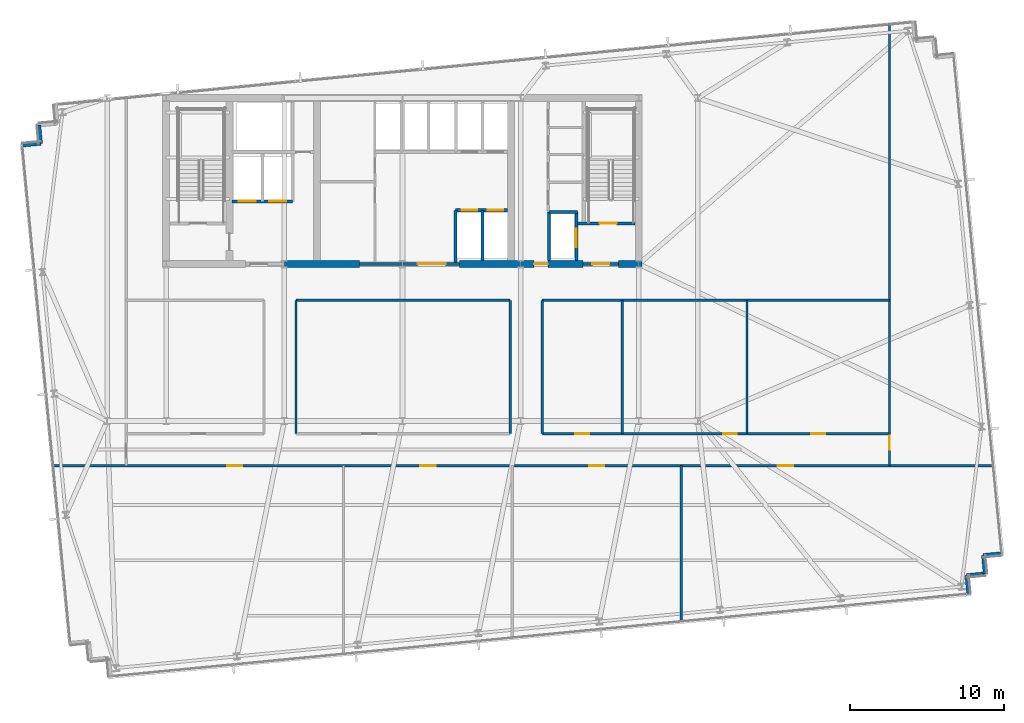
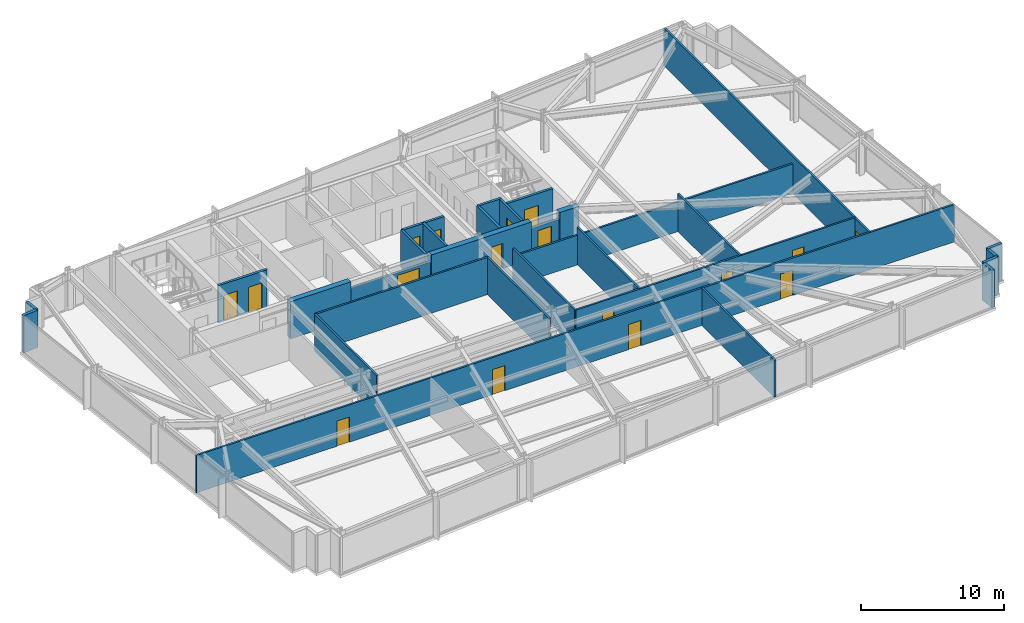
# One storey, part 25 of 32: 30 walls, 17 doors, 17 openings.
"""IFC4 building model written with IfcOpenShell, lengths in metres."""

from ifc_helpers import new_model, si_unit, direction, frame, frame_2d, origin, place, context, subcontext, project, spatial, rectangle, extrude, material, layer, layer_set, type_object, element, fill, save


model = new_model("IFC4")

# Units and contexts
model_context = context("Model", 3, precision=1e-05, world=origin(), true_north=direction((0.0, 1.0)))
body_context = subcontext(model_context, "Body", "Model", "MODEL_VIEW")
ifc_project = project(units=[si_unit("LENGTHUNIT", "METRE"), si_unit("AREAUNIT", "SQUARE_METRE"), si_unit("VOLUMEUNIT", "CUBIC_METRE"), si_unit("PLANEANGLEUNIT", "RADIAN"), si_unit("MASSUNIT", "GRAM", prefix="KILO")], contexts=[model_context])

# Site, building, storey
site_placement = place(None, origin())
site = spatial("IfcSite", under=ifc_project, at=site_placement, CompositionType="ELEMENT")
building_placement = place(site_placement, origin())
building = spatial("IfcBuilding", under=site, at=building_placement, Name="Yelkora Congress Tower", CompositionType="ELEMENT")
storey_placement = place(building_placement, frame((0.0, 0.0, 103.300048828125)))
storey = spatial("IfcBuildingStorey", under=building, at=storey_placement, Name="L27", CompositionType="ELEMENT", Elevation=103.300048828125)

# Wall
ifc_material_1 = material(Name="Concrete C60/75", Category="concrete")
ifc_layer_1 = layer(ifc_material_1, 0.449951171875)
ifc_layer_set_1 = layer_set([ifc_layer_1], Name="Concrete C60/75")
wall_type_1 = type_object("IfcWallType", Name="WALL-CORE-INT-450", PredefinedType="SHEAR", material=ifc_layer_set_1)
wall_1_placement = place(storey_placement, frame((30.719970703125, 35.39990234375, 0.0), z_axis=(0.0, 0.0, 1.0), x_axis=(1.0, 0.0, 0.0)))
element("IfcWall", 1, at=wall_1_placement, inside=storey, type_object=wall_type_1, Name="L27 Rear Core South-Center Shear Pier", PredefinedType="SHEAR", context=body_context, shape_type="SweptSolid", body=[
    extrude(rectangle(XDim=4.880126953125, YDim=0.449951171875, at=frame_2d((2.43994140625, 0.0))), origin(), (0.0, 0.0, 1.0), 3.179931640625),
])

# Wall, opening, door
wall_2_placement = place(storey_placement, frame((42.10009765625, 35.39990234375, 0.0), z_axis=(0.0, 0.0, 1.0), x_axis=(1.0, 0.0, 0.0)))
wall_2 = element("IfcWall", 2, at=wall_2_placement, inside=storey, type_object=wall_type_1, Name="L27 Rear Core South-East Shear Wall A", PredefinedType="SHEAR", context=body_context, shape_type="SweptSolid", body=[
    extrude(rectangle(XDim=8.0498046875, YDim=0.449951171875, at=frame_2d((4.02490234375, 0.0))), origin(), (0.0, 0.0, 1.0), 3.179931640625),
])
opening_1_placement = place(wall_2_placement, frame((4.85009765625, 0.0, 0.0)))
opening_1 = element("IfcOpeningElement", 3, at=opening_1_placement, cuts=wall_2, Name="Opening DR-090F6", PredefinedType="OPENING", context=body_context, shape_type="SweptSolid", body=[
    extrude(rectangle(XDim=0.89990234375, YDim=2.14990234375, at=frame_2d((0.449951171875, 1.074951171875))), frame((0.0, 0.23486328125, 0.0), z_axis=(0.0, -1.0, 0.0), x_axis=(1.0, 0.0, 0.0)), (0.0, 0.0, 1.0), 0.469970703125),
])
ifc_material_2 = material(Name="Painted steel riser fire door leaf", Category="steel")
door_type_1 = type_object("IfcDoorType", Name="DOOR-FD60-900", OperationType="NOTDEFINED", PredefinedType="DOOR", material=ifc_material_2)
door_1_placement = place(opening_1_placement, origin())
door_1 = element("IfcDoor", 4, at=door_1_placement, inside=storey, type_object=door_type_1, Name="L27 Core Washroom Lobby Door", OperationType="SINGLE_SWING_RIGHT", OverallHeight=2.14990234375, OverallWidth=0.89990234375, PredefinedType="DOOR", context=body_context, shape_type="SweptSolid", body=[
    extrude(rectangle(XDim=0.89990234375, YDim=2.14990234375, at=frame_2d((0.449951171875, 1.074951171875))), frame((0.0, 0.02490234375, 0.0), z_axis=(0.0, -1.0, 0.0), x_axis=(1.0, 0.0, 0.0)), (0.0, 0.0, 1.0), 0.050048828125),
])
fill(opening_1, door_1)

# Walls
wall_3_placement = place(storey_placement, frame((52.449951171875, 35.39990234375, 0.0), z_axis=(0.0, 0.0, 1.0), x_axis=(1.0, 0.0, 0.0)))
element("IfcWall", 5, at=wall_3_placement, inside=storey, type_object=wall_type_1, Name="L27 Rear Core South-East Shear Wall B", PredefinedType="SHEAR", context=body_context, shape_type="SweptSolid", body=[
    extrude(rectangle(XDim=1.53515625, YDim=0.449951171875, at=frame_2d((0.767578125, 0.0))), origin(), (0.0, 0.0, 1.0), 3.179931640625),
])
ifc_material_3 = material(Name="Concrete C40/50", Category="concrete")
ifc_layer_2 = layer(ifc_material_3, 0.239990234375)
ifc_layer_set_2 = layer_set([ifc_layer_2], Name="Concrete C40/50")
wall_type_2 = type_object("IfcWallType", Name="WALL-EXT-LIMESTONE-240", PredefinedType="SOLIDWALL", material=ifc_layer_set_2)
for number, where, z_axis, x_axis, name in (
    (6, (13.69091796875, 43.126708984375, 0.0), (0.0, 0.0, 1.0), (0.995398960025, 0.095817067274, 0.0), "L27 Serrated Corner Limestone Pier 6"),
    (7, (14.885498046875, 43.24169921875, 0.0), (0.0, 0.0, 1.0), (-0.095817067274, 0.995398960025, 0.0), "L27 Serrated Corner Limestone Pier 7"),
):
    element("IfcWall", number, at=place(storey_placement, frame(where, z_axis=z_axis, x_axis=x_axis)), inside=storey, type_object=wall_type_2, Name=name, PredefinedType="SOLIDWALL", context=body_context, shape_type="SweptSolid", body=[
        extrude(rectangle(XDim=1.2001953125, YDim=0.239990234375, at=frame_2d((0.60009765625, 0.0))), origin(), (0.0, 0.0, 1.0), 3.179931640625),
    ])
wall_4_placement = place(storey_placement, frame((77.34765625, 16.585693359375, 0.0), z_axis=(0.0, 0.0, 1.0), x_axis=(-0.995397091755, -0.095836473879, 0.0)))
element("IfcWall", 8, at=wall_4_placement, inside=storey, type_object=wall_type_2, Name="L27 Serrated Corner Limestone Pier 16", PredefinedType="SOLIDWALL", context=body_context, shape_type="SweptSolid", body=[
    extrude(rectangle(XDim=1.199951171875, YDim=0.239990234375, at=frame_2d((0.60009765625, 0.0))), origin(), (0.0, 0.0, 1.0), 3.179931640625),
])
for number, where, z_axis, x_axis, name in (
    (9, (76.1533203125, 16.470703125, 0.0), (0.0, 0.0, 1.0), (0.095817067274, -0.995398960025, 0.0), "L27 Serrated Corner Limestone Pier 17"),
    (10, (76.268310546875, 15.276123046875, 0.0), (0.0, 0.0, 1.0), (-0.995398960025, -0.095817067274, 0.0), "L27 Serrated Corner Limestone Pier 18"),
):
    element("IfcWall", number, at=place(storey_placement, frame(where, z_axis=z_axis, x_axis=x_axis)), inside=storey, type_object=wall_type_2, Name=name, PredefinedType="SOLIDWALL", context=body_context, shape_type="SweptSolid", body=[
        extrude(rectangle(XDim=1.2001953125, YDim=0.239990234375, at=frame_2d((0.60009765625, 0.0))), origin(), (0.0, 0.0, 1.0), 3.179931640625),
    ])
wall_5_placement = place(storey_placement, frame((75.07373046875, 15.1611328125, 0.0), z_axis=(0.0, 0.0, 1.0), x_axis=(0.095836473879, -0.995397091755, 0.0)))
element("IfcWall", 11, at=wall_5_placement, inside=storey, type_object=wall_type_2, Name="L27 Serrated Corner Limestone Pier 19", PredefinedType="SOLIDWALL", context=body_context, shape_type="SweptSolid", body=[
    extrude(rectangle(XDim=1.199951171875, YDim=0.239990234375, at=frame_2d((0.60009765625, 0.0))), origin(), (0.0, 0.0, 1.0), 3.179931640625),
])
ifc_material_4 = material(Name="Acoustic metal-stud gypsum partition", Category="gypsum")
ifc_layer_3 = layer(ifc_material_4, 0.14990234375)
ifc_layer_set_3 = layer_set([ifc_layer_3], Name="Acoustic metal-stud gypsum partition")
wall_type_3 = type_object("IfcWallType", Name="WALL-INT-150-NR", PredefinedType="PARTITIONING", material=ifc_layer_set_3)
wall_6_placement = place(storey_placement, frame((56.512939453125, 12.108154296875, 0.0), z_axis=(0.0, 0.0, 1.0), x_axis=(0.0, 1.0, 0.0)))
element("IfcWall", 12, at=wall_6_placement, inside=storey, type_object=wall_type_3, Name="L27 Partition Wall 30", PredefinedType="PARTITIONING", context=body_context, shape_type="SweptSolid", body=[
    extrude(rectangle(XDim=10.2119140625, YDim=0.14990234375, at=frame_2d((5.10595703125, 0.0))), origin(), (0.0, 0.0, 1.0), 3.179931640625),
])

# Wall, openings, doors
wall_7_placement = place(storey_placement, frame((15.635986328125, 22.300048828125, 0.0), z_axis=(0.0, 0.0, 1.0), x_axis=(1.0, 0.0, 0.0)))
wall_7 = element("IfcWall", 13, at=wall_7_placement, inside=storey, type_object=wall_type_3, Name="L27 South Spine Wall", PredefinedType="PARTITIONING", context=body_context, shape_type="SweptSolid", body=[
    extrude(rectangle(XDim=61.221923828125, YDim=0.14990234375, at=frame_2d((30.61083984375, 0.0))), origin(), (0.0, 0.0, 1.0), 3.179931640625),
])
opening_2_placement = place(wall_7_placement, frame((11.364990234375, 0.0, 0.0)))
opening_2 = element("IfcOpeningElement", 14, at=opening_2_placement, cuts=wall_7, Name="Opening DR-100N", PredefinedType="OPENING", context=body_context, shape_type="SweptSolid", body=[
    extrude(rectangle(XDim=1.0, YDim=2.14990234375, at=frame_2d((0.5, 1.074951171875))), frame((0.0, 0.0849609375, 0.0), z_axis=(0.0, -1.0, 0.0), x_axis=(1.0, 0.0, 0.0)), (0.0, 0.0, 1.0), 0.169921875),
])
opening_3_placement = place(wall_7_placement, frame((23.91650390625, 0.0, 0.0)))
opening_3 = element("IfcOpeningElement", 15, at=opening_3_placement, cuts=wall_7, Name="Opening DR-100N", PredefinedType="OPENING", context=body_context, shape_type="SweptSolid", body=[
    extrude(rectangle(XDim=1.0, YDim=2.14990234375, at=frame_2d((0.5, 1.074951171875))), frame((0.0, 0.0849609375, 0.0), z_axis=(0.0, -1.0, 0.0), x_axis=(1.0, 0.0, 0.0)), (0.0, 0.0, 1.0), 0.169921875),
])
opening_4_placement = place(wall_7_placement, frame((34.89013671875, 0.0, 0.0)))
opening_4 = element("IfcOpeningElement", 16, at=opening_4_placement, cuts=wall_7, Name="Opening DR-100N", PredefinedType="OPENING", context=body_context, shape_type="SweptSolid", body=[
    extrude(rectangle(XDim=1.0, YDim=2.14990234375, at=frame_2d((0.5, 1.074951171875))), frame((0.0, 0.0849609375, 0.0), z_axis=(0.0, -1.0, 0.0), x_axis=(1.0, 0.0, 0.0)), (0.0, 0.0, 1.0), 0.169921875),
])
opening_5_placement = place(wall_7_placement, frame((47.149658203125, 0.0, 0.0)))
opening_5 = element("IfcOpeningElement", 17, at=opening_5_placement, cuts=wall_7, Name="Opening DR-100N", PredefinedType="OPENING", context=body_context, shape_type="SweptSolid", body=[
    extrude(rectangle(XDim=1.0, YDim=2.14990234375, at=frame_2d((0.5, 1.074951171875))), frame((0.0, 0.0849609375, 0.0), z_axis=(0.0, -1.0, 0.0), x_axis=(1.0, 0.0, 0.0)), (0.0, 0.0, 1.0), 0.169921875),
])
ifc_material_5 = material(Name="Solid-core Anatolian oak veneer door", Category="wood")
door_type_2 = type_object("IfcDoorType", Name="DOOR-INT-1000", OperationType="NOTDEFINED", PredefinedType="DOOR", material=ifc_material_5)
door_2_placement = place(opening_2_placement, origin())
door_2 = element("IfcDoor", 18, at=door_2_placement, inside=storey, type_object=door_type_2, Name="L27 Meeting Suite Door", OperationType="SINGLE_SWING_RIGHT", OverallHeight=2.14990234375, OverallWidth=1.0, PredefinedType="DOOR", context=body_context, shape_type="SweptSolid", body=[
    extrude(rectangle(XDim=1.0, YDim=2.14990234375, at=frame_2d((0.5, 1.074951171875))), frame((0.0, 0.02490234375, 0.0), z_axis=(0.0, -1.0, 0.0), x_axis=(1.0, 0.0, 0.0)), (0.0, 0.0, 1.0), 0.050048828125),
])
fill(opening_2, door_2)
door_3_placement = place(opening_3_placement, origin())
door_3 = element("IfcDoor", 19, at=door_3_placement, inside=storey, type_object=door_type_2, Name="L27 Delegate Library Lounge Door", OperationType="SINGLE_SWING_LEFT", OverallHeight=2.14990234375, OverallWidth=1.0, PredefinedType="DOOR", context=body_context, shape_type="SweptSolid", body=[
    extrude(rectangle(XDim=1.0, YDim=2.14990234375, at=frame_2d((0.5, 1.074951171875))), frame((0.0, 0.02490234375, 0.0), z_axis=(0.0, -1.0, 0.0), x_axis=(1.0, 0.0, 0.0)), (0.0, 0.0, 1.0), 0.050048828125),
])
fill(opening_3, door_3)
door_4_placement = place(opening_4_placement, origin())
door_4 = element("IfcDoor", 20, at=door_4_placement, inside=storey, type_object=door_type_2, Name="L27 Pantry & Servery Door", OperationType="SINGLE_SWING_RIGHT", OverallHeight=2.14990234375, OverallWidth=1.0, PredefinedType="DOOR", context=body_context, shape_type="SweptSolid", body=[
    extrude(rectangle(XDim=1.0, YDim=2.14990234375, at=frame_2d((0.5, 1.074951171875))), frame((0.0, 0.02490234375, 0.0), z_axis=(0.0, -1.0, 0.0), x_axis=(1.0, 0.0, 0.0)), (0.0, 0.0, 1.0), 0.050048828125),
])
fill(opening_4, door_4)
door_5_placement = place(opening_5_placement, origin())
door_5 = element("IfcDoor", 21, at=door_5_placement, inside=storey, type_object=door_type_2, Name="L27 Open-Plan Office Door", OperationType="SINGLE_SWING_LEFT", OverallHeight=2.14990234375, OverallWidth=1.0, PredefinedType="DOOR", context=body_context, shape_type="SweptSolid", body=[
    extrude(rectangle(XDim=1.0, YDim=2.14990234375, at=frame_2d((0.5, 1.074951171875))), frame((0.0, 0.02490234375, 0.0), z_axis=(0.0, -1.0, 0.0), x_axis=(1.0, 0.0, 0.0)), (0.0, 0.0, 1.0), 0.050048828125),
])
fill(opening_5, door_5)

# Wall, opening, door
wall_8_placement = place(storey_placement, frame((70.05810546875, 22.300048828125, 0.0), z_axis=(0.0, 0.0, 1.0), x_axis=(0.0, 1.0, 0.0)))
wall_8 = element("IfcWall", 22, at=wall_8_placement, inside=storey, type_object=wall_type_3, Name="L27 Partition Wall 33", PredefinedType="PARTITIONING", context=body_context, shape_type="SweptSolid", body=[
    extrude(rectangle(XDim=28.7255859375, YDim=0.14990234375, at=frame_2d((14.36279296875, 0.0))), origin(), (0.0, 0.0, 1.0), 3.179931640625),
])
opening_6_placement = place(wall_8_placement, frame((1.030029296875, 0.0, 0.0)))
opening_6 = element("IfcOpeningElement", 23, at=opening_6_placement, cuts=wall_8, Name="Opening DR-090N", PredefinedType="OPENING", context=body_context, shape_type="SweptSolid", body=[
    extrude(rectangle(XDim=0.89990234375, YDim=2.14990234375, at=frame_2d((0.449951171875, 1.074951171875))), frame((0.0, 0.0849609375, 0.0), z_axis=(0.0, -1.0, 0.0), x_axis=(1.0, 0.0, 0.0)), (0.0, 0.0, 1.0), 0.169921875),
])
ifc_material_6 = material(Name="Moisture-resistant laminate door leaf", Category="wood")
door_type_3 = type_object("IfcDoorType", Name="DOOR-INT-900", OperationType="NOTDEFINED", PredefinedType="DOOR", material=ifc_material_6)
door_6_placement = place(opening_6_placement, origin())
door_6 = element("IfcDoor", 24, at=door_6_placement, inside=storey, type_object=door_type_3, Name="L27 E Wing Door", OperationType="SINGLE_SWING_LEFT", OverallHeight=2.14990234375, OverallWidth=0.89990234375, PredefinedType="DOOR", context=body_context, shape_type="SweptSolid", body=[
    extrude(rectangle(XDim=0.89990234375, YDim=2.14990234375, at=frame_2d((0.449951171875, 1.074951171875))), frame((0.0, 0.02490234375, 0.0), z_axis=(0.0, -1.0, 0.0), x_axis=(1.0, 0.0, 0.0)), (0.0, 0.0, 1.0), 0.050048828125),
])
fill(opening_6, door_6)

# Walls
for number, where, z_axis, x_axis, name in (
    (25, (31.47998046875, 24.3798828125, 0.0), (0.0, 0.0, 1.0), (0.0, 1.0, 0.0), "L27 Partition Wall 35"),
    (26, (45.39990234375, 24.3798828125, 0.0), (0.0, 0.0, 1.0), (0.0, 1.0, 0.0), "L27 Partition Wall 36"),
    (27, (47.47998046875, 24.3798828125, 0.0), (0.0, 0.0, 1.0), (0.0, 1.0, 0.0), "L27 Partition Wall 37"),
):
    element("IfcWall", number, at=place(storey_placement, frame(where, z_axis=z_axis, x_axis=x_axis)), inside=storey, type_object=wall_type_3, Name=name, PredefinedType="PARTITIONING", context=body_context, shape_type="SweptSolid", body=[
        extrude(rectangle(XDim=8.670166015625, YDim=0.14990234375, at=frame_2d((4.3349609375, 0.0))), origin(), (0.0, 0.0, 1.0), 3.179931640625),
    ])
wall_9_placement = place(storey_placement, frame((31.47998046875, 33.050048828125, 0.0), z_axis=(0.0, 0.0, 1.0), x_axis=(1.0, 0.0, 0.0)))
element("IfcWall", 28, at=wall_9_placement, inside=storey, type_object=wall_type_3, Name="L27 Partition Wall 39", PredefinedType="PARTITIONING", context=body_context, shape_type="SweptSolid", body=[
    extrude(rectangle(XDim=13.919921875, YDim=0.14990234375, at=frame_2d((6.9599609375, 0.0))), origin(), (0.0, 0.0, 1.0), 3.179931640625),
])
wall_10_placement = place(storey_placement, frame((47.47998046875, 33.050048828125, 0.0), z_axis=(0.0, 0.0, 1.0), x_axis=(1.0, 0.0, 0.0)))
element("IfcWall", 29, at=wall_10_placement, inside=storey, type_object=wall_type_3, Name="L27 Partition Wall 40", PredefinedType="PARTITIONING", context=body_context, shape_type="SweptSolid", body=[
    extrude(rectangle(XDim=22.578125, YDim=0.14990234375, at=frame_2d((11.2890625, 0.0))), origin(), (0.0, 0.0, 1.0), 2.52490234375),
])
for number, where, z_axis, x_axis, name in (
    (30, (52.676025390625, 24.3798828125, 0.0), (0.0, 0.0, 1.0), (0.0, 1.0, 0.0), "L27 Partition Wall 43"),
    (31, (60.79296875, 24.3798828125, 0.0), (0.0, 0.0, 1.0), (0.0, 1.0, 0.0), "L27 Partition Wall 44"),
):
    element("IfcWall", number, at=place(storey_placement, frame(where, z_axis=z_axis, x_axis=x_axis)), inside=storey, type_object=wall_type_3, Name=name, PredefinedType="PARTITIONING", context=body_context, shape_type="SweptSolid", body=[
        extrude(rectangle(XDim=8.670166015625, YDim=0.14990234375, at=frame_2d((4.3349609375, 0.0))), origin(), (0.0, 0.0, 1.0), 3.179931640625),
    ])

# Wall, openings, doors
wall_11_placement = place(storey_placement, frame((47.489990234375, 24.3798828125, 0.0), z_axis=(0.0, 0.0, 1.0), x_axis=(1.0, 0.0, 0.0)))
wall_11 = element("IfcWall", 32, at=wall_11_placement, inside=storey, type_object=wall_type_3, Name="L27 Partition Wall 45", PredefinedType="PARTITIONING", context=body_context, shape_type="SweptSolid", body=[
    extrude(rectangle(XDim=22.548095703125, YDim=0.14990234375, at=frame_2d((11.27392578125, 0.0))), origin(), (0.0, 0.0, 1.0), 3.179931640625),
])
opening_7_placement = place(wall_11_placement, frame((2.14306640625, 0.0, 0.0)))
opening_7 = element("IfcOpeningElement", 33, at=opening_7_placement, cuts=wall_11, Name="Opening DR-090N", PredefinedType="OPENING", context=body_context, shape_type="SweptSolid", body=[
    extrude(rectangle(XDim=0.89990234375, YDim=2.14990234375, at=frame_2d((0.449951171875, 1.074951171875))), frame((0.0, 0.0849609375, 0.0), z_axis=(0.0, -1.0, 0.0), x_axis=(1.0, 0.0, 0.0)), (0.0, 0.0, 1.0), 0.169921875),
])
opening_8_placement = place(wall_11_placement, frame((11.7529296875, 0.0, 0.0)))
opening_8 = element("IfcOpeningElement", 34, at=opening_8_placement, cuts=wall_11, Name="Opening DR-090N", PredefinedType="OPENING", context=body_context, shape_type="SweptSolid", body=[
    extrude(rectangle(XDim=0.89990234375, YDim=2.14990234375, at=frame_2d((0.449951171875, 1.074951171875))), frame((0.0, 0.0849609375, 0.0), z_axis=(0.0, -1.0, 0.0), x_axis=(1.0, 0.0, 0.0)), (0.0, 0.0, 1.0), 0.169921875),
])
opening_9_placement = place(wall_11_placement, frame((17.4755859375, 0.0, 0.0)))
opening_9 = element("IfcOpeningElement", 35, at=opening_9_placement, cuts=wall_11, Name="Opening DR-090N", PredefinedType="OPENING", context=body_context, shape_type="SweptSolid", body=[
    extrude(rectangle(XDim=0.89990234375, YDim=2.14990234375, at=frame_2d((0.449951171875, 1.074951171875))), frame((0.0, 0.0849609375, 0.0), z_axis=(0.0, -1.0, 0.0), x_axis=(1.0, 0.0, 0.0)), (0.0, 0.0, 1.0), 0.169921875),
])
door_7_placement = place(opening_7_placement, origin())
door_7 = element("IfcDoor", 36, at=door_7_placement, inside=storey, type_object=door_type_3, Name="L27 First-Aid Treatment Room Door", OperationType="SINGLE_SWING_RIGHT", OverallHeight=2.14990234375, OverallWidth=0.89990234375, PredefinedType="DOOR", context=body_context, shape_type="SweptSolid", body=[
    extrude(rectangle(XDim=0.89990234375, YDim=2.14990234375, at=frame_2d((0.449951171875, 1.074951171875))), frame((0.0, 0.02490234375, 0.0), z_axis=(0.0, -1.0, 0.0), x_axis=(1.0, 0.0, 0.0)), (0.0, 0.0, 1.0), 0.050048828125),
])
fill(opening_7, door_7)
door_8_placement = place(opening_8_placement, origin())
door_8 = element("IfcDoor", 37, at=door_8_placement, inside=storey, type_object=door_type_3, Name="L27 Wellness Consult Room Door", OperationType="SINGLE_SWING_LEFT", OverallHeight=2.14990234375, OverallWidth=0.89990234375, PredefinedType="DOOR", context=body_context, shape_type="SweptSolid", body=[
    extrude(rectangle(XDim=0.89990234375, YDim=2.14990234375, at=frame_2d((0.449951171875, 1.074951171875))), frame((0.0, 0.02490234375, 0.0), z_axis=(0.0, -1.0, 0.0), x_axis=(1.0, 0.0, 0.0)), (0.0, 0.0, 1.0), 0.050048828125),
])
fill(opening_8, door_8)
door_9_placement = place(opening_9_placement, origin())
door_9 = element("IfcDoor", 38, at=door_9_placement, inside=storey, type_object=door_type_3, Name="L27 Diplomatic Day Lounge Door", OperationType="SINGLE_SWING_RIGHT", OverallHeight=2.14990234375, OverallWidth=0.89990234375, PredefinedType="DOOR", context=body_context, shape_type="SweptSolid", body=[
    extrude(rectangle(XDim=0.89990234375, YDim=2.14990234375, at=frame_2d((0.449951171875, 1.074951171875))), frame((0.0, 0.02490234375, 0.0), z_axis=(0.0, -1.0, 0.0), x_axis=(1.0, 0.0, 0.0)), (0.0, 0.0, 1.0), 0.050048828125),
])
fill(opening_9, door_9)

ifc_material_7 = material(Name="Autoclaved aerated concrete blockwork", Category="masonry")
ifc_layer_4 = layer(ifc_material_7, 0.199951171875)
ifc_layer_set_4 = layer_set([ifc_layer_4], Name="Autoclaved aerated concrete blockwork")
wall_type_4 = type_object("IfcWallType", Name="WALL-INT-200-R120", PredefinedType="PARTITIONING", material=ifc_layer_set_4)
wall_12_placement = place(storey_placement, frame((27.320068359375, 39.47998046875, 0.0), z_axis=(0.0, 0.0, 1.0), x_axis=(1.0, 0.0, 0.0)))
wall_12 = element("IfcWall", 39, at=wall_12_placement, inside=storey, type_object=wall_type_4, Name="L27 Firefighting Lift Front Wall", PredefinedType="PARTITIONING", context=body_context, shape_type="SweptSolid", body=[
    extrude(rectangle(XDim=3.93994140625, YDim=0.199951171875, at=frame_2d((1.969970703125, 0.0))), origin(), (0.0, 0.0, 1.0), 3.179931640625),
])
opening_10_placement = place(wall_12_placement, frame((0.449951171875, 0.0, 0.0)))
opening_10 = element("IfcOpeningElement", 40, at=opening_10_placement, cuts=wall_12, Name="Opening LD-FF11", PredefinedType="OPENING", context=body_context, shape_type="SweptSolid", body=[
    extrude(rectangle(XDim=1.10009765625, YDim=2.199951171875, at=frame_2d((0.550048828125, 1.10009765625))), frame((0.0, 0.10986328125, 0.0), z_axis=(0.0, -1.0, 0.0), x_axis=(1.0, 0.0, 0.0)), (0.0, 0.0, 1.0), 0.219970703125),
])
opening_11_placement = place(wall_12_placement, frame((2.409912109375, 0.0, 0.0)))
opening_11 = element("IfcOpeningElement", 41, at=opening_11_placement, cuts=wall_12, Name="Opening LD-FF11", PredefinedType="OPENING", context=body_context, shape_type="SweptSolid", body=[
    extrude(rectangle(XDim=1.10009765625, YDim=2.199951171875, at=frame_2d((0.550048828125, 1.10009765625))), frame((0.0, 0.10986328125, 0.0), z_axis=(0.0, -1.0, 0.0), x_axis=(1.0, 0.0, 0.0)), (0.0, 0.0, 1.0), 0.219970703125),
])
ifc_material_8 = material(Name="Brushed stainless steel 316L landing door", Category="steel")
door_type_4 = type_object("IfcDoorType", Name="DOOR-LIFT-FF-1100", OperationType="DOUBLE_DOOR_SLIDING", PredefinedType="DOOR", material=ifc_material_8)
door_10_placement = place(opening_10_placement, origin())
door_10 = element("IfcDoor", 42, at=door_10_placement, inside=storey, type_object=door_type_4, Name="Lift Landing Door LF-FF1 L27", OperationType="DOUBLE_DOOR_SLIDING", OverallHeight=2.199951171875, OverallWidth=1.10009765625, PredefinedType="DOOR", context=body_context, shape_type="SweptSolid", body=[
    extrude(rectangle(XDim=1.10009765625, YDim=2.199951171875, at=frame_2d((0.550048828125, 1.10009765625))), frame((0.0, 0.02490234375, 0.0), z_axis=(0.0, -1.0, 0.0), x_axis=(1.0, 0.0, 0.0)), (0.0, 0.0, 1.0), 0.050048828125),
])
fill(opening_10, door_10)
door_11_placement = place(opening_11_placement, origin())
door_11 = element("IfcDoor", 43, at=door_11_placement, inside=storey, type_object=door_type_4, Name="Lift Landing Door LF-FF2 L27", OperationType="DOUBLE_DOOR_SLIDING", OverallHeight=2.199951171875, OverallWidth=1.10009765625, PredefinedType="DOOR", context=body_context, shape_type="SweptSolid", body=[
    extrude(rectangle(XDim=1.10009765625, YDim=2.199951171875, at=frame_2d((0.550048828125, 1.10009765625))), frame((0.0, 0.02490234375, 0.0), z_axis=(0.0, -1.0, 0.0), x_axis=(1.0, 0.0, 0.0)), (0.0, 0.0, 1.0), 0.050048828125),
])
fill(opening_11, door_11)

# Wall, opening, door
wall_13_placement = place(storey_placement, frame((35.60009765625, 35.39990234375, 0.0), z_axis=(0.0, 0.0, 1.0), x_axis=(1.0, 0.0, 0.0)))
wall_13 = element("IfcWall", 44, at=wall_13_placement, inside=storey, type_object=wall_type_4, Name="L27 Main Lift Lobby South Portal Wall", PredefinedType="PARTITIONING", context=body_context, shape_type="SweptSolid", body=[
    extrude(rectangle(XDim=6.5, YDim=0.199951171875, at=frame_2d((3.25, 0.0))), origin(), (0.0, 0.0, 1.0), 2.52490234375),
])
opening_12_placement = place(wall_13_placement, frame((3.800048828125, 0.0, 0.0)))
opening_12 = element("IfcOpeningElement", 45, at=opening_12_placement, cuts=wall_13, Name="Opening DR-180D", PredefinedType="OPENING", context=body_context, shape_type="SweptSolid", body=[
    extrude(rectangle(XDim=1.800048828125, YDim=2.300048828125, at=frame_2d((0.89990234375, 1.14990234375))), frame((0.0, 0.10986328125, 0.0), z_axis=(0.0, -1.0, 0.0), x_axis=(1.0, 0.0, 0.0)), (0.0, 0.0, 1.0), 0.219970703125),
])
ifc_material_9 = material(Name="Acoustic double congress hall doors", Category="wood")
door_type_5 = type_object("IfcDoorType", Name="DOOR-DBL-1800", OperationType="DOUBLE_DOOR_SINGLE_SWING", PredefinedType="DOOR", material=ifc_material_9)
door_12_placement = place(opening_12_placement, origin())
door_12 = element("IfcDoor", 46, at=door_12_placement, inside=storey, type_object=door_type_5, Name="L27 Main Lift Lobby Portal Door", OperationType="DOUBLE_DOOR_SINGLE_SWING", OverallHeight=2.300048828125, OverallWidth=1.800048828125, PredefinedType="DOOR", context=body_context, shape_type="SweptSolid", body=[
    extrude(rectangle(XDim=1.800048828125, YDim=2.300048828125, at=frame_2d((0.89990234375, 1.14990234375))), frame((0.0, 0.02490234375, 0.0), z_axis=(0.0, -1.0, 0.0), x_axis=(1.0, 0.0, 0.0)), (0.0, 0.0, 1.0), 0.050048828125),
])
fill(opening_12, door_12)

# Wall, openings, doors
wall_14_placement = place(storey_placement, frame((41.85009765625, 38.89990234375, 0.0), z_axis=(0.0, 0.0, 1.0), x_axis=(1.0, 0.0, 0.0)))
wall_14 = element("IfcWall", 47, at=wall_14_placement, inside=storey, type_object=wall_type_4, Name="L27 Partition Wall 13", PredefinedType="PARTITIONING", context=body_context, shape_type="SweptSolid", body=[
    extrude(rectangle(XDim=3.369873046875, YDim=0.199951171875, at=frame_2d((1.68505859375, 0.0))), origin(), (0.0, 0.0, 1.0), 3.179931640625),
])
opening_13_placement = place(wall_14_placement, frame((0.39990234375, 0.0, 0.0)))
opening_13 = element("IfcOpeningElement", 48, at=opening_13_placement, cuts=wall_14, Name="Opening LD-PS10", PredefinedType="OPENING", context=body_context, shape_type="SweptSolid", body=[
    extrude(rectangle(XDim=1.0, YDim=2.199951171875, at=frame_2d((0.5, 1.10009765625))), frame((0.0, 0.10986328125, 0.0), z_axis=(0.0, -1.0, 0.0), x_axis=(1.0, 0.0, 0.0)), (0.0, 0.0, 1.0), 0.219970703125),
])
opening_14_placement = place(wall_14_placement, frame((2.10009765625, 0.0, 0.0)))
opening_14 = element("IfcOpeningElement", 49, at=opening_14_placement, cuts=wall_14, Name="Opening LD-PS10", PredefinedType="OPENING", context=body_context, shape_type="SweptSolid", body=[
    extrude(rectangle(XDim=1.0, YDim=2.199951171875, at=frame_2d((0.5, 1.10009765625))), frame((0.0, 0.10986328125, 0.0), z_axis=(0.0, -1.0, 0.0), x_axis=(1.0, 0.0, 0.0)), (0.0, 0.0, 1.0), 0.219970703125),
])
ifc_material_10 = material(Name="Champagne stainless steel landing door", Category="steel")
door_type_6 = type_object("IfcDoorType", Name="DOOR-LIFT-PAS-1000", OperationType="DOUBLE_DOOR_SLIDING", PredefinedType="DOOR", material=ifc_material_10)
door_13_placement = place(opening_13_placement, origin())
door_13 = element("IfcDoor", 50, at=door_13_placement, inside=storey, type_object=door_type_6, Name="Lift Landing Door LF-P5 L27", OperationType="DOUBLE_DOOR_SLIDING", OverallHeight=2.199951171875, OverallWidth=1.0, PredefinedType="DOOR", context=body_context, shape_type="SweptSolid", body=[
    extrude(rectangle(XDim=1.0, YDim=2.199951171875, at=frame_2d((0.5, 1.10009765625))), frame((0.0, 0.02490234375, 0.0), z_axis=(0.0, -1.0, 0.0), x_axis=(1.0, 0.0, 0.0)), (0.0, 0.0, 1.0), 0.050048828125),
])
fill(opening_13, door_13)
door_14_placement = place(opening_14_placement, origin())
door_14 = element("IfcDoor", 51, at=door_14_placement, inside=storey, type_object=door_type_6, Name="Lift Landing Door LF-P6 L27", OperationType="DOUBLE_DOOR_SLIDING", OverallHeight=2.199951171875, OverallWidth=1.0, PredefinedType="DOOR", context=body_context, shape_type="SweptSolid", body=[
    extrude(rectangle(XDim=1.0, YDim=2.199951171875, at=frame_2d((0.5, 1.10009765625))), frame((0.0, 0.02490234375, 0.0), z_axis=(0.0, -1.0, 0.0), x_axis=(1.0, 0.0, 0.0)), (0.0, 0.0, 1.0), 0.050048828125),
])
fill(opening_14, door_14)

# Walls
wall_15_placement = place(storey_placement, frame((43.60009765625, 35.64990234375, 0.0), z_axis=(0.0, 0.0, 1.0), x_axis=(0.0, 1.0, 0.0)))
element("IfcWall", 52, at=wall_15_placement, inside=storey, type_object=wall_type_4, Name="L27 Partition Wall 15", PredefinedType="PARTITIONING", context=body_context, shape_type="SweptSolid", body=[
    extrude(rectangle(XDim=3.25, YDim=0.199951171875, at=frame_2d((1.625, 0.0))), origin(), (0.0, 0.0, 1.0), 3.179931640625),
])
wall_16_placement = place(storey_placement, frame((41.85009765625, 35.5, 0.0), z_axis=(0.0, 0.0, 1.0), x_axis=(0.0, 1.0, 0.0)))
element("IfcWall", 53, at=wall_16_placement, inside=storey, type_object=wall_type_4, Name="L27 Partition Wall 17", PredefinedType="PARTITIONING", context=body_context, shape_type="SweptSolid", body=[
    extrude(rectangle(XDim=3.39990234375, YDim=0.199951171875, at=frame_2d((1.699951171875, 0.0))), origin(), (0.0, 0.0, 1.0), 3.179931640625),
])

# Wall, opening, door
wall_17_placement = place(storey_placement, frame((49.780029296875, 38.050048828125, 0.0), z_axis=(0.0, 0.0, 1.0), x_axis=(1.0, 0.0, 0.0)))
wall_17 = element("IfcWall", 54, at=wall_17_placement, inside=storey, type_object=wall_type_4, Name="L27 Stair ST-02 Enclosure Wall", PredefinedType="PARTITIONING", context=body_context, shape_type="SweptSolid", body=[
    extrude(rectangle(XDim=3.719970703125, YDim=0.199951171875, at=frame_2d((1.85986328125, 0.0))), origin(), (0.0, 0.0, 1.0), 3.179931640625),
])
opening_15_placement = place(wall_17_placement, frame((1.436279296875, 0.0, 0.0)))
opening_15 = element("IfcOpeningElement", 55, at=opening_15_placement, cuts=wall_17, Name="Opening DR-110F9", PredefinedType="OPENING", context=body_context, shape_type="SweptSolid", body=[
    extrude(rectangle(XDim=1.10009765625, YDim=2.14990234375, at=frame_2d((0.550048828125, 1.074951171875))), frame((0.0, 0.10986328125, 0.0), z_axis=(0.0, -1.0, 0.0), x_axis=(1.0, 0.0, 0.0)), (0.0, 0.0, 1.0), 0.219970703125),
])
ifc_material_11 = material(Name="Galvanised steel fire door leaf", Category="steel")
door_type_7 = type_object("IfcDoorType", Name="DOOR-FD90-1100", OperationType="NOTDEFINED", PredefinedType="DOOR", material=ifc_material_11)
door_15_placement = place(opening_15_placement, origin())
door_15 = element("IfcDoor", 56, at=door_15_placement, inside=storey, type_object=door_type_7, Name="L27 Stair ST-02 Entry Door", OperationType="SINGLE_SWING_LEFT", OverallHeight=2.14990234375, OverallWidth=1.10009765625, PredefinedType="DOOR", context=body_context, shape_type="SweptSolid", body=[
    extrude(rectangle(XDim=1.10009765625, YDim=2.14990234375, at=frame_2d((0.550048828125, 1.074951171875))), frame((0.0, 0.02490234375, 0.0), z_axis=(0.0, -1.0, 0.0), x_axis=(1.0, 0.0, 0.0)), (0.0, 0.0, 1.0), 0.050048828125),
])
fill(opening_15, door_15)

wall_18_placement = place(storey_placement, frame((50.14990234375, 35.39990234375, 0.0), z_axis=(0.0, 0.0, 1.0), x_axis=(1.0, 0.0, 0.0)))
wall_18 = element("IfcWall", 57, at=wall_18_placement, inside=storey, type_object=wall_type_4, Name="L27 Partition Wall 20", PredefinedType="PARTITIONING", context=body_context, shape_type="SweptSolid", body=[
    extrude(rectangle(XDim=2.300048828125, YDim=0.199951171875, at=frame_2d((1.14990234375, 0.0))), origin(), (0.0, 0.0, 1.0), 2.52490234375),
])
opening_16_placement = place(wall_18_placement, frame((0.60009765625, 0.0, 0.0)))
opening_16 = element("IfcOpeningElement", 58, at=opening_16_placement, cuts=wall_18, Name="Opening DR-110F9", PredefinedType="OPENING", context=body_context, shape_type="SweptSolid", body=[
    extrude(rectangle(XDim=1.10009765625, YDim=2.14990234375, at=frame_2d((0.550048828125, 1.074951171875))), frame((0.0, 0.10986328125, 0.0), z_axis=(0.0, -1.0, 0.0), x_axis=(1.0, 0.0, 0.0)), (0.0, 0.0, 1.0), 0.219970703125),
])
door_16_placement = place(opening_16_placement, origin())
door_16 = element("IfcDoor", 59, at=door_16_placement, inside=storey, type_object=door_type_7, Name="L27 East Stair Lobby Door", OperationType="SINGLE_SWING_RIGHT", OverallHeight=2.14990234375, OverallWidth=1.10009765625, PredefinedType="DOOR", context=body_context, shape_type="SweptSolid", body=[
    extrude(rectangle(XDim=1.10009765625, YDim=2.14990234375, at=frame_2d((0.550048828125, 1.074951171875))), frame((0.0, 0.02490234375, 0.0), z_axis=(0.0, -1.0, 0.0), x_axis=(1.0, 0.0, 0.0)), (0.0, 0.0, 1.0), 0.050048828125),
])
fill(opening_16, door_16)

wall_19_placement = place(storey_placement, frame((49.699951171875, 35.64990234375, 0.0), z_axis=(0.0, 0.0, 1.0), x_axis=(0.0, 1.0, 0.0)))
wall_19 = element("IfcWall", 60, at=wall_19_placement, inside=storey, type_object=wall_type_4, Name="L27 Partition Wall 21", PredefinedType="PARTITIONING", context=body_context, shape_type="SweptSolid", body=[
    extrude(rectangle(XDim=3.150146484375, YDim=0.199951171875, at=frame_2d((1.5751953125, 0.0))), origin(), (0.0, 0.0, 1.0), 3.179931640625),
])
opening_17_placement = place(wall_19_placement, frame((0.85009765625, 0.0, 0.0)))
opening_17 = element("IfcOpeningElement", 61, at=opening_17_placement, cuts=wall_19, Name="Opening LD-SV12", PredefinedType="OPENING", context=body_context, shape_type="SweptSolid", body=[
    extrude(rectangle(XDim=1.199951171875, YDim=2.199951171875, at=frame_2d((0.60009765625, 1.10009765625))), frame((0.0, 0.10986328125, 0.0), z_axis=(0.0, -1.0, 0.0), x_axis=(1.0, 0.0, 0.0)), (0.0, 0.0, 1.0), 0.219970703125),
])
ifc_material_12 = material(Name="Heavy-duty stainless steel landing door", Category="steel")
door_type_8 = type_object("IfcDoorType", Name="DOOR-LIFT-SRV-1200", OperationType="DOUBLE_DOOR_SLIDING", PredefinedType="DOOR", material=ifc_material_12)
door_17_placement = place(opening_17_placement, origin())
door_17 = element("IfcDoor", 62, at=door_17_placement, inside=storey, type_object=door_type_8, Name="Service Lift Landing Door LF-SV1 L27", OperationType="DOUBLE_DOOR_SLIDING", OverallHeight=2.199951171875, OverallWidth=1.199951171875, PredefinedType="DOOR", context=body_context, shape_type="SweptSolid", body=[
    extrude(rectangle(XDim=1.199951171875, YDim=2.199951171875, at=frame_2d((0.60009765625, 1.10009765625))), frame((0.0, 0.02490234375, 0.0), z_axis=(0.0, -1.0, 0.0), x_axis=(1.0, 0.0, 0.0)), (0.0, 0.0, 1.0), 0.050048828125),
])
fill(opening_17, door_17)

# Walls
wall_20_placement = place(storey_placement, frame((47.919921875, 35.64990234375, 0.0), z_axis=(0.0, 0.0, 1.0), x_axis=(0.0, 1.0, 0.0)))
element("IfcWall", 63, at=wall_20_placement, inside=storey, type_object=wall_type_4, Name="L27 Partition Wall 22", PredefinedType="PARTITIONING", context=body_context, shape_type="SweptSolid", body=[
    extrude(rectangle(XDim=3.150146484375, YDim=0.199951171875, at=frame_2d((1.5751953125, 0.0))), origin(), (0.0, 0.0, 1.0), 3.179931640625),
])
wall_21_placement = place(storey_placement, frame((47.919921875, 38.800048828125, 0.0), z_axis=(0.0, 0.0, 1.0), x_axis=(1.0, 0.0, 0.0)))
element("IfcWall", 64, at=wall_21_placement, inside=storey, type_object=wall_type_4, Name="L27 Partition Wall 23", PredefinedType="PARTITIONING", context=body_context, shape_type="SweptSolid", body=[
    extrude(rectangle(XDim=1.860107421875, YDim=0.199951171875, at=frame_2d((0.93017578125, 0.0))), origin(), (0.0, 0.0, 1.0), 3.179931640625),
])

save(model, "model.ifc")
